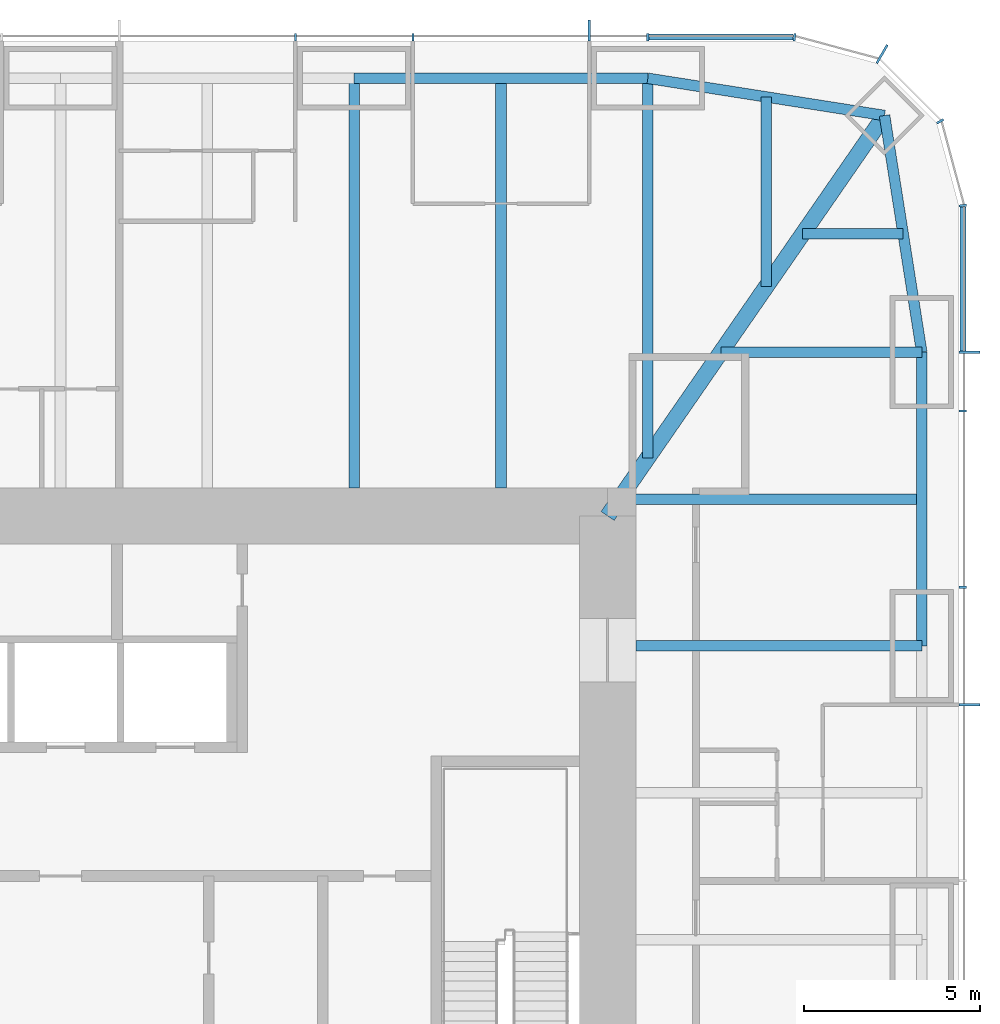
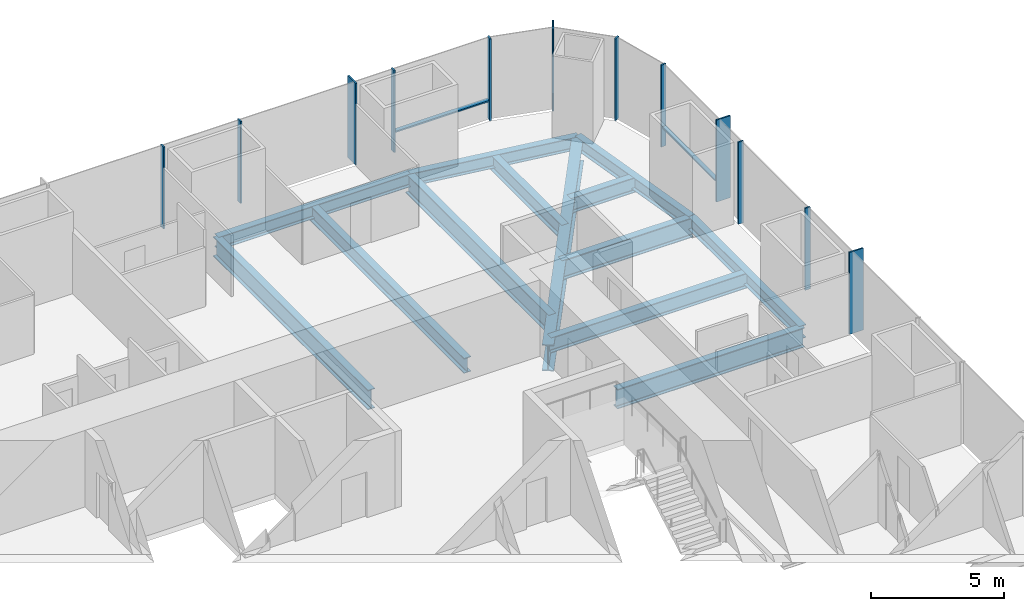
# One storey, part 6 of 13: 14 members, 13 beams, 3 elements without a shape of their own.
"""IFC4 building model written with IfcOpenShell, lengths in metres."""

from ifc_helpers import new_model, si_unit, direction, frame, origin, origin_2d, place, context, subcontext, project, spatial, rectangle, i_section, extrude, material, material_profile, profile_set, type_object, element, aggregate, save


model = new_model("IFC4")

# Units and contexts
model_context = context("Model", 3, precision=1e-05, world=origin(), true_north=direction((0.0, 1.0)))
body_context = subcontext(model_context, "Body", "Model", "MODEL_VIEW")
ifc_project = project(units=[si_unit("LENGTHUNIT", "METRE"), si_unit("AREAUNIT", "SQUARE_METRE"), si_unit("VOLUMEUNIT", "CUBIC_METRE"), si_unit("PLANEANGLEUNIT", "RADIAN"), si_unit("MASSUNIT", "GRAM", prefix="KILO")], contexts=[model_context])

# Site, building, storey
site_placement = place(None, origin())
site = spatial("IfcSite", under=ifc_project, at=site_placement, CompositionType="ELEMENT")
building_placement = place(site_placement, origin())
building = spatial("IfcBuilding", under=site, at=building_placement, Name="Khuree Lantern Residences", CompositionType="ELEMENT")
storey_placement = place(building_placement, frame((0.0, 0.0, 270.75)))
storey = spatial("IfcBuildingStorey", under=building, at=storey_placement, Name="L68", CompositionType="ELEMENT", Elevation=270.75)

# Beams
ifc_material_1 = material(Name="Steel S355", Category="steel")
ifc_material_profile_1 = material_profile(ifc_material_1, i_section(OverallWidth=0.300048828125, OverallDepth=0.68994140625, WebThickness=0.014404296875, FlangeThickness=0.027099609375, FilletRadius=0.027099609375, at=origin_2d()), Name="HE 700 A")
ifc_profile_set_1 = profile_set([ifc_material_profile_1], Name="Steel S355")
beam_type_1 = type_object("IfcBeamType", Name="B-35 SECONDARY BEAM HE 700 A", PredefinedType="BEAM", material=ifc_profile_set_1)
beam_1_placement = place(storey_placement, frame((12.47998046875, 24.39990234375, -0.594970703125), z_axis=(0.0, -1.0, 0.0), x_axis=(1.0, 0.0, 0.0)))
element("IfcBeam", 1, at=beam_1_placement, inside=storey, type_object=beam_type_1, Name="Secondary beam N4", PredefinedType="BEAM", context=body_context, shape_type="SweptSolid", body=[
    extrude(i_section(OverallWidth=0.300048828125, OverallDepth=0.68994140625, WebThickness=0.014404296875, FlangeThickness=0.027099609375, FilletRadius=0.027099609375, at=origin_2d()), origin(), (0.0, 0.0, 1.0), 11.599853515625),
])
beam_2_placement = place(storey_placement, frame((19.992919921875, 23.872802734375, -0.594970703125), z_axis=(0.0, -1.0, 0.0), x_axis=(1.0, 0.0, 0.0)))
element("IfcBeam", 2, at=beam_2_placement, inside=storey, type_object=beam_type_1, Name="Secondary beam N5", PredefinedType="BEAM", context=body_context, shape_type="SweptSolid", body=[
    extrude(i_section(OverallWidth=0.300048828125, OverallDepth=0.68994140625, WebThickness=0.014404296875, FlangeThickness=0.027099609375, FilletRadius=0.027099609375, at=origin_2d()), origin(), (0.0, 0.0, 1.0), 5.375732421875),
])
beam_3_placement = place(storey_placement, frame((23.872802734375, 19.992919921875, -0.594970703125), z_axis=(-1.0, 0.0, 0.0), x_axis=(0.0, -1.0, 0.0)))
element("IfcBeam", 3, at=beam_3_placement, inside=storey, type_object=beam_type_1, Name="Secondary beam E1", PredefinedType="BEAM", context=body_context, shape_type="SweptSolid", body=[
    extrude(i_section(OverallWidth=0.300048828125, OverallDepth=0.68994140625, WebThickness=0.014404296875, FlangeThickness=0.027099609375, FilletRadius=0.027099609375, at=origin_2d()), origin(), (0.0, 0.0, 1.0), 2.845703125),
])
beam_4_placement = place(storey_placement, frame((24.39990234375, 12.47998046875, -0.594970703125), z_axis=(-1.0, 0.0, 0.0), x_axis=(0.0, -1.0, 0.0)))
element("IfcBeam", 4, at=beam_4_placement, inside=storey, type_object=beam_type_1, Name="Secondary beam E2", PredefinedType="BEAM", context=body_context, shape_type="SweptSolid", body=[
    extrude(i_section(OverallWidth=0.300048828125, OverallDepth=0.68994140625, WebThickness=0.014404296875, FlangeThickness=0.027099609375, FilletRadius=0.027099609375, at=origin_2d()), origin(), (0.0, 0.0, 1.0), 8.56787109375),
])
ifc_material_profile_2 = material_profile(ifc_material_1, i_section(OverallWidth=0.300048828125, OverallDepth=0.590087890625, WebThickness=0.012939453125, FlangeThickness=0.02490234375, FilletRadius=0.027099609375, at=origin_2d()), Name="HE 600 A")
ifc_profile_set_2 = profile_set([ifc_material_profile_2], Name="Steel S355")
beam_type_2 = type_object("IfcBeamType", Name="E-35 SPANDREL BEAM HE 600 A", PredefinedType="SPANDREL", material=ifc_profile_set_2)
beam_5_placement = place(storey_placement, frame((8.320068359375, 24.39990234375, -0.544921875), z_axis=(1.0, 0.0, 0.0), x_axis=(0.0, 1.0, 0.0)))
element("IfcBeam", 5, at=beam_5_placement, inside=storey, type_object=beam_type_2, Name="Spandrel beam N4", PredefinedType="SPANDREL", context=body_context, shape_type="SweptSolid", body=[
    extrude(i_section(OverallWidth=0.300048828125, OverallDepth=0.590087890625, WebThickness=0.012939453125, FlangeThickness=0.02490234375, FilletRadius=0.027099609375, at=origin_2d()), origin(), (0.0, 0.0, 1.0), 8.31982421875),
])
for number, where, z_axis, x_axis, name in (
    (6, (16.639892578125, 24.39990234375, -0.544921875), (0.98786743189, -0.155299507442, 0.0), (0.155299507442, 0.98786743189, 0.0), "Spandrel beam N5"),
    (7, (23.345703125, 23.345703125, -0.544921875), (0.155299507442, -0.98786743189, 0.0), (0.98786743189, 0.155299507442, 0.0), "Spandrel beam E1"),
):
    element("IfcBeam", number, at=place(storey_placement, frame(where, z_axis=z_axis, x_axis=x_axis)), inside=storey, type_object=beam_type_2, Name=name, PredefinedType="SPANDREL", context=body_context, shape_type="SweptSolid", body=[
        extrude(i_section(OverallWidth=0.300048828125, OverallDepth=0.590087890625, WebThickness=0.012939453125, FlangeThickness=0.02490234375, FilletRadius=0.027099609375, at=origin_2d()), origin(), (0.0, 0.0, 1.0), 6.7880859375),
    ])
beam_6_placement = place(storey_placement, frame((24.39990234375, 16.639892578125, -0.544921875), z_axis=(0.0, -1.0, 0.0), x_axis=(1.0, 0.0, 0.0)))
element("IfcBeam", 8, at=beam_6_placement, inside=storey, type_object=beam_type_2, Name="Spandrel beam E2", PredefinedType="SPANDREL", context=body_context, shape_type="SweptSolid", body=[
    extrude(i_section(OverallWidth=0.300048828125, OverallDepth=0.590087890625, WebThickness=0.012939453125, FlangeThickness=0.02490234375, FilletRadius=0.027099609375, at=origin_2d()), origin(), (0.0, 0.0, 1.0), 8.31982421875),
])

# Curtain wall, members
ifc_material_2 = material(Name="Bronze anodised aluminium", Category="aluminium")
curtain_wall_type_1 = type_object("IfcCurtainWallType", Name="CW-T1 TOWER FACE CURTAIN WALL", PredefinedType="USERDEFINED", material=ifc_material_2)
curtain_wall_1_placement = place(storey_placement, origin())
curtain_wall_1 = element("IfcCurtainWall", 9, at=curtain_wall_1_placement, inside=storey, type_object=curtain_wall_type_1, Name="L68 EAST FACE CURTAIN WALL", ObjectType="Stick-built curtain wall", PredefinedType="USERDEFINED")
ifc_material_profile_3 = material_profile(ifc_material_2, rectangle(XDim=0.06494140625, YDim=0.60009765625, at=origin_2d()), Name="F1 65X600")
ifc_profile_set_3 = profile_set([ifc_material_profile_3], Name="Bronze anodised aluminium")
member_type_1 = type_object("IfcMemberType", Name="F1 BRONZE FIN MULLION TOWER 65X600", PredefinedType="MULLION", material=ifc_profile_set_3)
member_1_placement = place(storey_placement, frame((25.75, 6.656005859375, 0.0), z_axis=(0.0, 0.0, 1.0), x_axis=(0.0, 1.0, 0.0)))
member_1 = element("IfcMember", 10, at=member_1_placement, type_object=member_type_1, Name="L68 EAST FACE FIN MULLION 11", PredefinedType="MULLION", context=body_context, shape_type="SweptSolid", body=[
    extrude(rectangle(XDim=0.06494140625, YDim=0.60009765625, at=origin_2d()), origin(), (0.0, 0.0, 1.0), 3.75),
])
member_2_placement = place(storey_placement, frame((25.75, 16.639892578125, 0.0), z_axis=(0.0, 0.0, 1.0), x_axis=(0.0, 1.0, 0.0)))
member_2 = element("IfcMember", 11, at=member_2_placement, type_object=member_type_1, Name="L68 EAST FACE FIN MULLION 14", PredefinedType="MULLION", context=body_context, shape_type="SweptSolid", body=[
    extrude(rectangle(XDim=0.06494140625, YDim=0.60009765625, at=origin_2d()), origin(), (0.0, 0.0, 1.0), 3.75),
])

# Curtain wall, member
curtain_wall_type_2 = type_object("IfcCurtainWallType", Name="CW-T2 TOWER CORNER CURTAIN WALL", PredefinedType="USERDEFINED", material=ifc_material_2)
curtain_wall_2_placement = place(storey_placement, origin())
curtain_wall_2 = element("IfcCurtainWall", 12, at=curtain_wall_2_placement, inside=storey, type_object=curtain_wall_type_2, Name="L68 NORTH-EAST CORNER CURTAIN WALL", ObjectType="Faceted corner curtain wall", PredefinedType="USERDEFINED")
member_3_placement = place(storey_placement, frame((23.27490234375, 25.0869140625, 0.0), z_axis=(0.0, 0.0, 1.0), x_axis=(-0.866025409797, 0.499999989586, 0.0)))
member_3 = element("IfcMember", 13, at=member_3_placement, type_object=member_type_1, Name="L68 NORTH-EAST CORNER FIN MULLION 17", PredefinedType="MULLION", context=body_context, shape_type="SweptSolid", body=[
    extrude(rectangle(XDim=0.06494140625, YDim=0.60009765625, at=origin_2d()), origin(), (0.0, 0.0, 1.0), 3.75),
])

curtain_wall_3_placement = place(storey_placement, origin())
curtain_wall_3 = element("IfcCurtainWall", 14, at=curtain_wall_3_placement, inside=storey, type_object=curtain_wall_type_1, Name="L68 NORTH FACE CURTAIN WALL", ObjectType="Stick-built curtain wall", PredefinedType="USERDEFINED")
member_4_placement = place(storey_placement, frame((14.97607421875, 25.75, 0.0), z_axis=(0.0, 0.0, 1.0), x_axis=(-1.0, 0.0, 0.0)))
member_4 = element("IfcMember", 15, at=member_4_placement, type_object=member_type_1, Name="L68 NORTH FACE FIN MULLION 20", PredefinedType="MULLION", context=body_context, shape_type="SweptSolid", body=[
    extrude(rectangle(XDim=0.06494140625, YDim=0.60009765625, at=origin_2d()), origin(), (0.0, 0.0, 1.0), 3.75),
])

# Beams
ifc_material_profile_4 = material_profile(ifc_material_1, i_section(OverallWidth=0.300048828125, OverallDepth=0.89990234375, WebThickness=0.0185546875, FlangeThickness=0.034912109375, FilletRadius=0.030029296875, at=origin_2d()), Name="HE 900 B")
ifc_profile_set_4 = profile_set([ifc_material_profile_4], Name="Steel S355")
beam_type_3 = type_object("IfcBeamType", Name="G-35 GIRDER HE 900 B", PredefinedType="BEAM", material=ifc_profile_set_4)
beam_7_placement = place(storey_placement, frame((8.320068359375, 24.39990234375, -0.699951171875), z_axis=(0.0, -1.0, 0.0), x_axis=(1.0, 0.0, 0.0)))
element("IfcBeam", 16, at=beam_7_placement, inside=storey, type_object=beam_type_3, Name="Girder N4", PredefinedType="BEAM", context=body_context, shape_type="SweptSolid", body=[
    extrude(i_section(OverallWidth=0.300048828125, OverallDepth=0.89990234375, WebThickness=0.0185546875, FlangeThickness=0.034912109375, FilletRadius=0.030029296875, at=origin_2d()), origin(), (0.0, 0.0, 1.0), 11.599853515625),
])
beam_8_placement = place(storey_placement, frame((16.639892578125, 24.39990234375, -0.699951171875), z_axis=(0.0, -1.0, 0.0), x_axis=(1.0, 0.0, 0.0)))
element("IfcBeam", 17, at=beam_8_placement, inside=storey, type_object=beam_type_3, Name="Girder N5", PredefinedType="BEAM", context=body_context, shape_type="SweptSolid", body=[
    extrude(i_section(OverallWidth=0.300048828125, OverallDepth=0.89990234375, WebThickness=0.0185546875, FlangeThickness=0.034912109375, FilletRadius=0.030029296875, at=origin_2d()), origin(), (0.0, 0.0, 1.0), 10.751220703125),
])
beam_9_placement = place(storey_placement, frame((24.39990234375, 16.639892578125, -0.699951171875), z_axis=(-1.0, 0.0, 0.0), x_axis=(0.0, -1.0, 0.0)))
element("IfcBeam", 18, at=beam_9_placement, inside=storey, type_object=beam_type_3, Name="Girder E1", PredefinedType="BEAM", context=body_context, shape_type="SweptSolid", body=[
    extrude(i_section(OverallWidth=0.300048828125, OverallDepth=0.89990234375, WebThickness=0.0185546875, FlangeThickness=0.034912109375, FilletRadius=0.030029296875, at=origin_2d()), origin(), (0.0, 0.0, 1.0), 5.69140625),
])
beam_10_placement = place(storey_placement, frame((24.39990234375, 8.320068359375, -0.699951171875), z_axis=(-1.0, 0.0, 0.0), x_axis=(0.0, -1.0, 0.0)))
element("IfcBeam", 19, at=beam_10_placement, inside=storey, type_object=beam_type_3, Name="Girder E2", PredefinedType="BEAM", context=body_context, shape_type="SweptSolid", body=[
    extrude(i_section(OverallWidth=0.300048828125, OverallDepth=0.89990234375, WebThickness=0.0185546875, FlangeThickness=0.034912109375, FilletRadius=0.030029296875, at=origin_2d()), origin(), (0.0, 0.0, 1.0), 8.099853515625),
])
ifc_material_profile_5 = material_profile(ifc_material_1, i_section(OverallWidth=0.449951171875, OverallDepth=1.199951171875, WebThickness=0.02490234375, FlangeThickness=0.044921875, at=origin_2d()), Name="WELDED I 1200X450X25X45")
ifc_profile_set_5 = profile_set([ifc_material_profile_5], Name="Steel S355")
beam_type_4 = type_object("IfcBeamType", Name="GD-35 CORNER GIRDER WELDED I 1200X450X25X45", PredefinedType="BEAM", material=ifc_profile_set_5)
beam_11_placement = place(storey_placement, frame((23.345703125, 23.345703125, -0.85009765625), z_axis=(-0.56876813501, -0.822497907959, 0.0), x_axis=(0.822497907959, -0.56876813501, 0.0)))
element("IfcBeam", 20, at=beam_11_placement, inside=storey, type_object=beam_type_4, Name="Corner girder NE", PredefinedType="BEAM", context=body_context, shape_type="SweptSolid", body=[
    extrude(i_section(OverallWidth=0.449951171875, OverallDepth=1.199951171875, WebThickness=0.02490234375, FlangeThickness=0.044921875, at=origin_2d()), origin(), (0.0, 0.0, 1.0), 13.794189453125),
])

# Member
ifc_material_profile_6 = material_profile(ifc_material_2, rectangle(XDim=0.06494140625, YDim=0.219970703125, at=origin_2d()), Name="M1 65X220")
ifc_profile_set_6 = profile_set([ifc_material_profile_6], Name="Bronze anodised aluminium")
member_type_2 = type_object("IfcMemberType", Name="M1 BRONZE MULLION TOWER 65X220", PredefinedType="MULLION", material=ifc_profile_set_6)
member_5_placement = place(storey_placement, frame((25.56005859375, 9.98388671875, 0.0), z_axis=(0.0, 0.0, 1.0), x_axis=(0.0, 1.0, 0.0)))
member_5 = element("IfcMember", 21, at=member_5_placement, type_object=member_type_2, Name="L68 EAST FACE MULLION 12", PredefinedType="MULLION", context=body_context, shape_type="SweptSolid", body=[
    extrude(rectangle(XDim=0.06494140625, YDim=0.219970703125, at=origin_2d()), origin(), (0.0, 0.0, 1.0), 3.75),
])

member_6_placement = place(storey_placement, frame((25.56005859375, 14.97607421875, 0.0), z_axis=(0.0, 0.0, 1.0), x_axis=(0.0, 1.0, 0.0)))
member_6 = element("IfcMember", 22, at=member_6_placement, type_object=member_type_2, Name="L68 EAST FACE MULLION 13", PredefinedType="MULLION", context=body_context, shape_type="SweptSolid", body=[
    extrude(rectangle(XDim=0.06494140625, YDim=0.219970703125, at=origin_2d()), origin(), (0.0, 0.0, 1.0), 3.75),
])

member_7_placement = place(storey_placement, frame((25.561767578125, 20.794921875, 0.0), z_axis=(0.0, 0.0, 1.0), x_axis=(-0.130526180298, 0.991444862943, 0.0)))
member_7 = element("IfcMember", 23, at=member_7_placement, type_object=member_type_2, Name="L68 NORTH-EAST CORNER MULLION 15", PredefinedType="MULLION", context=body_context, shape_type="SweptSolid", body=[
    extrude(rectangle(XDim=0.06494140625, YDim=0.219970703125, at=origin_2d()), origin(), (0.0, 0.0, 1.0), 3.75),
])

member_8_placement = place(storey_placement, frame((24.92236328125, 23.179931640625, 0.0), z_axis=(0.0, 0.0, 1.0), x_axis=(-0.499999989586, 0.866025409797, 0.0)))
member_8 = element("IfcMember", 24, at=member_8_placement, type_object=member_type_2, Name="L68 NORTH-EAST CORNER MULLION 16", PredefinedType="MULLION", context=body_context, shape_type="SweptSolid", body=[
    extrude(rectangle(XDim=0.06494140625, YDim=0.219970703125, at=origin_2d()), origin(), (0.0, 0.0, 1.0), 3.75),
])

aggregate(curtain_wall_2, [member_7, member_8, member_3])

member_9_placement = place(storey_placement, frame((20.794921875, 25.561767578125, 0.0), z_axis=(0.0, 0.0, 1.0), x_axis=(-0.991444862943, 0.130526180298, 0.0)))
member_9 = element("IfcMember", 25, at=member_9_placement, type_object=member_type_2, Name="L68 NORTH FACE MULLION 18", PredefinedType="MULLION", context=body_context, shape_type="SweptSolid", body=[
    extrude(rectangle(XDim=0.06494140625, YDim=0.219970703125, at=origin_2d()), origin(), (0.0, 0.0, 1.0), 3.75),
])

member_10_placement = place(storey_placement, frame((16.639892578125, 25.56005859375, 0.0), z_axis=(0.0, 0.0, 1.0), x_axis=(-1.0, 0.0, 0.0)))
member_10 = element("IfcMember", 26, at=member_10_placement, type_object=member_type_2, Name="L68 NORTH FACE MULLION 19", PredefinedType="MULLION", context=body_context, shape_type="SweptSolid", body=[
    extrude(rectangle(XDim=0.06494140625, YDim=0.219970703125, at=origin_2d()), origin(), (0.0, 0.0, 1.0), 3.75),
])

member_11_placement = place(storey_placement, frame((9.98388671875, 25.56005859375, 0.0), z_axis=(0.0, 0.0, 1.0), x_axis=(-1.0, 0.0, 0.0)))
member_11 = element("IfcMember", 27, at=member_11_placement, type_object=member_type_2, Name="L68 NORTH FACE MULLION 21", PredefinedType="MULLION", context=body_context, shape_type="SweptSolid", body=[
    extrude(rectangle(XDim=0.06494140625, YDim=0.219970703125, at=origin_2d()), origin(), (0.0, 0.0, 1.0), 3.75),
])

member_12_placement = place(storey_placement, frame((6.656005859375, 25.56005859375, 0.0), z_axis=(0.0, 0.0, 1.0), x_axis=(-1.0, 0.0, 0.0)))
member_12 = element("IfcMember", 28, at=member_12_placement, type_object=member_type_2, Name="L68 NORTH FACE MULLION 22", PredefinedType="MULLION", context=body_context, shape_type="SweptSolid", body=[
    extrude(rectangle(XDim=0.06494140625, YDim=0.219970703125, at=origin_2d()), origin(), (0.0, 0.0, 1.0), 3.75),
])

ifc_material_profile_7 = material_profile(ifc_material_2, rectangle(XDim=0.179931640625, YDim=0.06494140625, at=origin_2d()), Name="T1 180X65")
ifc_profile_set_7 = profile_set([ifc_material_profile_7], Name="Bronze anodised aluminium")
member_type_3 = type_object("IfcMemberType", Name="TRANSOM T1 TOWER 180X65", PredefinedType="USERDEFINED", material=ifc_profile_set_7)
member_13_placement = place(storey_placement, frame((25.570068359375, 16.672607421875, 0.89990234375), z_axis=(0.0, 1.0, 0.0), x_axis=(-1.0, 0.0, 0.0)))
member_13 = element("IfcMember", 29, at=member_13_placement, type_object=member_type_3, Name="L68 EAST FACE TRANSOM 14.1", ObjectType="Transom", PredefinedType="USERDEFINED", context=body_context, shape_type="SweptSolid", body=[
    extrude(rectangle(XDim=0.179931640625, YDim=0.06494140625, at=origin_2d()), origin(), (0.0, 0.0, 1.0), 4.078857421875),
])

aggregate(curtain_wall_1, [member_1, member_5, member_6, member_2, member_13])

member_14_placement = place(storey_placement, frame((20.75146484375, 25.570068359375, 0.89990234375), z_axis=(-1.0, 0.0, 0.0), x_axis=(0.0, -1.0, 0.0)))
member_14 = element("IfcMember", 30, at=member_14_placement, type_object=member_type_3, Name="L68 NORTH FACE TRANSOM 18.1", ObjectType="Transom", PredefinedType="USERDEFINED", context=body_context, shape_type="SweptSolid", body=[
    extrude(rectangle(XDim=0.179931640625, YDim=0.06494140625, at=origin_2d()), origin(), (0.0, 0.0, 1.0), 4.078857421875),
])

aggregate(curtain_wall_3, [member_9, member_10, member_4, member_11, member_12, member_14])

save(model, "model.ifc")
